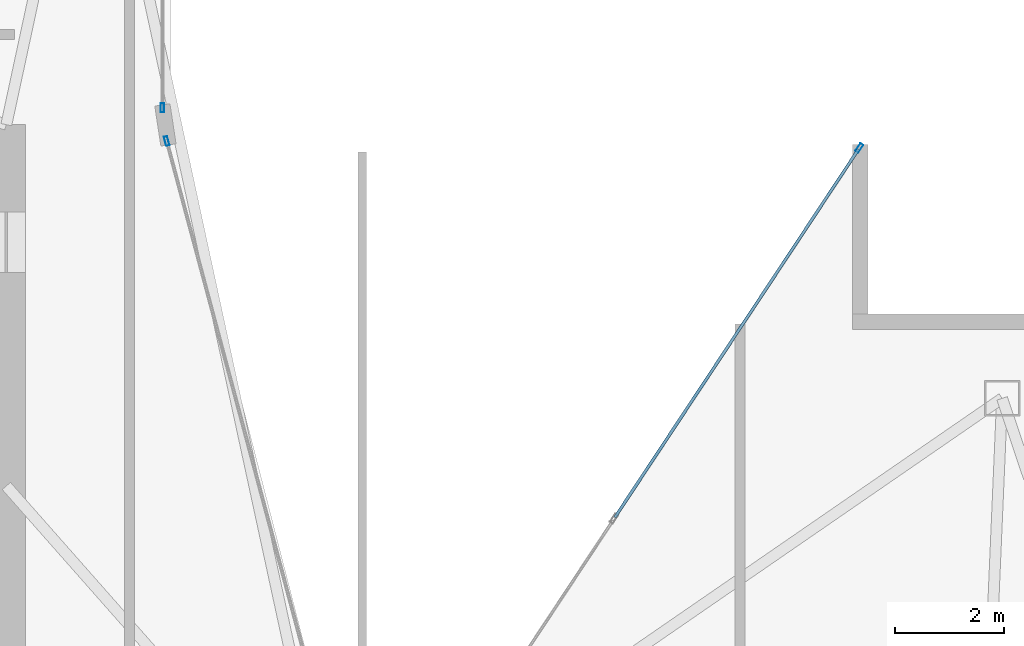
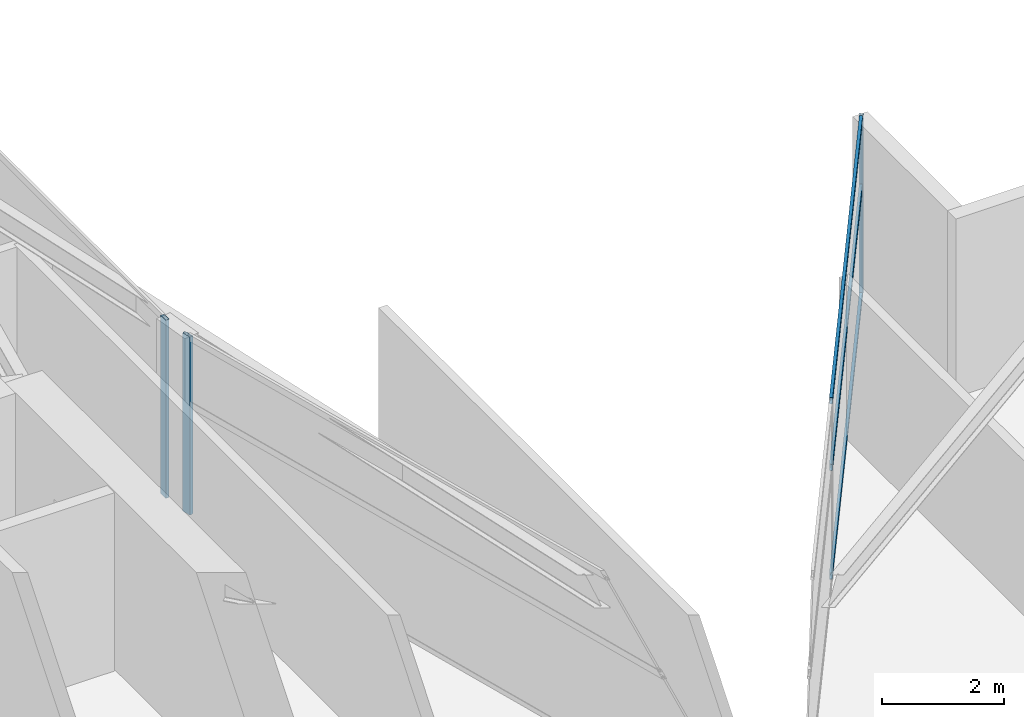
# One storey, part 19 of 28: 6 members, 3 elements without a shape of their own.
"""IFC4 building model written with IfcOpenShell, lengths in metres."""

import ifcopenshell
import ifcopenshell.guid

model = None  # the IFC model being written
_history = None  # IfcOwnerHistory: only IFC2X3 demands one
_inside = {}  # id of a spatial element -> (the spatial element, [elements in it])
_under = {}  # id of a project, library or spatial element -> (it, [spatial elements below it])
_declared = {}  # id of a project -> (the project, [libraries it declares])
_typed = {}  # id of a type object -> (the type object, [elements of that type])
_made_of = {}  # id of a material, layer set ... -> (it, [elements and type objects made of it])


def new_model(schema):
    """Start an empty IFC model of exactly this schema.

    Asked for "IFC4X3", IfcOpenShell would pick the latest addendum, in which some entities
    have other attributes; the version numbers below select the first issue.
    IFC2X3 requires an IfcOwnerHistory on every rooted entity: one is made here for all.
    """
    global model, _history
    if schema == "IFC4X3":
        model = ifcopenshell.file(schema_version=(4, 3, 0, 0))
    else:
        model = ifcopenshell.file(schema=schema)
    _inside.clear()
    _under.clear()
    _declared.clear()
    _typed.clear()
    _made_of.clear()
    _history = None
    if model.schema == "IFC2X3":
        org = make("IfcOrganization", Name="unknown")
        user = make(
            "IfcPersonAndOrganization",
            ThePerson=make("IfcPerson", FamilyName="unknown"),
            TheOrganization=org,
        )
        app = make(
            "IfcApplication",
            ApplicationDeveloper=org,
            Version="unknown",
            ApplicationFullName="unknown",
            ApplicationIdentifier="unknown",
        )
        _history = make(
            "IfcOwnerHistory",
            OwningUser=user,
            OwningApplication=app,
            ChangeAction="ADDED",
            CreationDate=0,
        )
    return model


def make(cls, **values):
    """One entity of the class cls with the attributes given. An attribute that is None is left unset."""
    return model.create_entity(
        cls, **{name: value for name, value in values.items() if value is not None}
    )


def rooted(cls, **values):
    """An entity with a GlobalId (a new one), such as an element, a storey or a relation."""
    return make(cls, GlobalId=ifcopenshell.guid.new(), OwnerHistory=_history, **values)


def si_unit(unit_type, name, prefix=None):
    """IfcSIUnit, for example si_unit("LENGTHUNIT", "METRE", prefix="MILLI")."""
    return make("IfcSIUnit", UnitType=unit_type, Prefix=prefix, Name=name)


def assignment(units):
    """IfcUnitAssignment: the units of a project."""
    return None if units is None else make("IfcUnitAssignment", Units=units)


def point(xyz):
    """IfcCartesianPoint."""
    return None if xyz is None else make("IfcCartesianPoint", Coordinates=xyz)


def direction(xyz):
    """IfcDirection."""
    return None if xyz is None else make("IfcDirection", DirectionRatios=xyz)


def frame(location, z_axis=None, x_axis=None):
    """IfcAxis2Placement3D, a coordinate frame: its origin and axes. An axis left out is left unset."""
    return make(
        "IfcAxis2Placement3D",
        Location=point(location),
        Axis=direction(z_axis),
        RefDirection=direction(x_axis),
    )


def frame_2d(location, x_axis=None):
    """IfcAxis2Placement2D, a coordinate frame in the plane: its origin and x axis."""
    return make(
        "IfcAxis2Placement2D", Location=point(location), RefDirection=direction(x_axis)
    )


def origin():
    """The frame at (0, 0, 0) with its axes left unset."""
    return frame((0.0, 0.0, 0.0))


def origin_2d():
    """The frame at (0, 0) in the plane with its x axis left unset."""
    return frame_2d((0.0, 0.0))


def place(relative_to, where):
    """IfcLocalPlacement: puts the frame where relative to a parent placement (None: the world)."""
    return make(
        "IfcLocalPlacement", PlacementRelTo=relative_to, RelativePlacement=where
    )


def context(
    kind, dimensions, precision=None, world=None, true_north=None, identifier=None
):
    """IfcGeometricRepresentationContext, for example the 3D "Model" context."""
    return make(
        "IfcGeometricRepresentationContext",
        ContextIdentifier=identifier,
        ContextType=kind,
        CoordinateSpaceDimension=dimensions,
        Precision=precision,
        WorldCoordinateSystem=world,
        TrueNorth=true_north,
    )


def subcontext(parent, identifier, kind, view, scale=None):
    """IfcGeometricRepresentationSubContext, for example "Body" below "Model"."""
    return make(
        "IfcGeometricRepresentationSubContext",
        ContextIdentifier=identifier,
        ContextType=kind,
        ParentContext=parent,
        TargetScale=scale,
        TargetView=view,
    )


def project(units=None, contexts=None):
    """IfcProject with its units and contexts."""
    return rooted(
        "IfcProject",
        Name="project",
        RepresentationContexts=contexts,
        UnitsInContext=assignment(units),
    )


def spatial(cls, under=None, at=None, **own):
    """A site, building, storey or space (cls), placed at a placement, below another one or the project."""
    s = rooted(cls, ObjectPlacement=at, **own)
    if under is not None:
        _under.setdefault(under.id(), (under, []))[1].append(s)
    return s


def profile(cls, at=None, kind="AREA", **sizes):
    """A parametric profile (cls). Its sizes go by their IFC names, for example OverallWidth=200.0."""
    return make(cls, ProfileType=kind, Position=at, **sizes)


def hollow_rectangle(**sizes):
    """IfcRectangleHollowProfileDef."""
    return profile("IfcRectangleHollowProfileDef", **sizes)


def extrude(swept, where, along, depth):
    """IfcExtrudedAreaSolid: the profile swept, set in the frame where, extruded along a direction by depth."""
    return make(
        "IfcExtrudedAreaSolid",
        SweptArea=swept,
        Position=where,
        ExtrudedDirection=direction(along),
        Depth=depth,
    )


def shape(context_of_items, identifier, shape_type, items):
    """IfcShapeRepresentation: the items that make up one representation, for example the "Body"."""
    return make(
        "IfcShapeRepresentation",
        ContextOfItems=context_of_items,
        RepresentationIdentifier=identifier,
        RepresentationType=shape_type,
        Items=items,
    )


def material(Name=None, Category=None):
    """IfcMaterial."""
    return make("IfcMaterial", Name=Name, Category=Category)


def layer(
    of_material, thickness, ventilated=None, Name=None, Category=None, Priority=None
):
    """IfcMaterialLayer: one layer of a wall or slab, of a material (None: an air gap)."""
    return make(
        "IfcMaterialLayer",
        Material=of_material,
        LayerThickness=thickness,
        IsVentilated=ventilated,
        Name=Name,
        Category=Category,
        Priority=Priority,
    )


def layer_set(layers, Name=None):
    """IfcMaterialLayerSet."""
    return make("IfcMaterialLayerSet", MaterialLayers=layers, LayerSetName=Name)


def material_profile(
    of_material, cross_section, Name=None, Category=None, Priority=None
):
    """IfcMaterialProfile: a cross section and its material."""
    return make(
        "IfcMaterialProfile",
        Name=Name,
        Material=of_material,
        Profile=cross_section,
        Priority=Priority,
        Category=Category,
    )


def profile_set(profiles, Name=None, composite=None):
    """IfcMaterialProfileSet."""
    return make(
        "IfcMaterialProfileSet",
        Name=Name,
        MaterialProfiles=profiles,
        CompositeProfile=composite,
    )


def made_of(thing, what):
    """Note that an element or type object is made of a material, layer set ...; save() writes the relation."""
    if what is not None:
        _made_of.setdefault(what.id(), (what, []))[1].append(thing)
    return thing


def type_object(cls, material=None, **own):
    """A type object (cls), such as IfcWallType, which elements share."""
    return made_of(rooted(cls, **own), material)


def element(
    cls,
    number,
    at=None,
    inside=None,
    cuts=None,
    type_object=None,
    material=None,
    context=None,
    identifier="Body",
    shape_type=None,
    held_by="IfcProductDefinitionShape",
    body=None,
    shapes=None,
    **own,
):
    """One element of the class cls, such as IfcWall. Its Tag is "e" and its number.

    at: its placement. inside: the storey or other place that contains it. cuts: it is an
    opening in that element (IfcRelVoidsElement). A single representation is given by context,
    identifier, shape_type and body (its items); several are given by shapes. held_by: the class
    of the entity that holds the representations. save() writes the other relations.
    """
    e = rooted(cls, Tag="e%d" % number, ObjectPlacement=at, **own)
    if body is not None:
        shapes = [shape(context, identifier, shape_type, body)]
    if shapes is not None:
        e.Representation = make(held_by, Representations=shapes)
    if inside is not None:
        _inside.setdefault(inside.id(), (inside, []))[1].append(e)
    if cuts is not None:
        rooted(
            "IfcRelVoidsElement", RelatingBuildingElement=cuts, RelatedOpeningElement=e
        )
    if type_object is not None:
        _typed.setdefault(type_object.id(), (type_object, []))[1].append(e)
    return made_of(e, material)


def aggregate(whole, parts):
    """IfcRelAggregates: a whole, such as a stair, and the parts it consists of."""
    return rooted("IfcRelAggregates", RelatingObject=whole, RelatedObjects=parts)


def save(model, path):
    """Write the relations noted so far, then the file.

    IfcRelAggregates (storeys below a building ...), IfcRelContainedInSpatialStructure (elements
    in a storey), IfcRelDefinesByType, IfcRelAssociatesMaterial and IfcRelDeclares: one each for
    every whole, place, type object, material and project.
    """
    for whole, parts in _under.values():
        aggregate(whole, parts)
    for where, things in _inside.values():
        rooted(
            "IfcRelContainedInSpatialStructure",
            RelatedElements=things,
            RelatingStructure=where,
        )
    for kind, things in _typed.values():
        rooted("IfcRelDefinesByType", RelatedObjects=things, RelatingType=kind)
    for what, things in _made_of.values():
        rooted("IfcRelAssociatesMaterial", RelatedObjects=things, RelatingMaterial=what)
    for by, libraries in _declared.values():
        rooted("IfcRelDeclares", RelatingContext=by, RelatedDefinitions=libraries)
    model.write(path)


model = new_model("IFC4")

# Units and contexts
model_context = context("Model", 3, precision=1e-05, world=origin(), true_north=direction((0.0, 1.0)))
body_context = subcontext(model_context, "Body", "Model", "MODEL_VIEW")
ifc_project = project(units=[si_unit("LENGTHUNIT", "METRE"), si_unit("AREAUNIT", "SQUARE_METRE"), si_unit("VOLUMEUNIT", "CUBIC_METRE"), si_unit("PLANEANGLEUNIT", "RADIAN"), si_unit("MASSUNIT", "GRAM", prefix="KILO")], contexts=[model_context])

# Site, building, storey
site_placement = place(None, origin())
site = spatial("IfcSite", under=ifc_project, at=site_placement, CompositionType="ELEMENT")
building_placement = place(site_placement, origin())
building = spatial("IfcBuilding", under=site, at=building_placement, Name="Calvorn Quay Hotel", CompositionType="ELEMENT")
storey_placement = place(building_placement, frame((0.0, 0.0, 263.5)))
storey = spatial("IfcBuildingStorey", under=building, at=storey_placement, Name="L65", CompositionType="ELEMENT", Elevation=263.5)

# Curtain wall, member
ifc_material_1 = material(Name="Champagne Bronze Anodised Aluminium and Low-E Glass", Category="aluminium")
ifc_layer = layer(ifc_material_1, 0.219970703125)
ifc_layer_set = layer_set([ifc_layer], Name="CW-SYS-Z4")
curtain_wall_type = type_object("IfcCurtainWallType", Name="CW-SYS-Z4", PredefinedType="NOTDEFINED", material=ifc_layer_set)
curtain_wall_1_placement = place(storey_placement, origin())
curtain_wall_1 = element("IfcCurtainWall", 1, at=curtain_wall_1_placement, inside=storey, type_object=curtain_wall_type, Name="Inner Court Curtain Wall L65-NE1", PredefinedType="NOTDEFINED")
ifc_material_2 = material(Name="Champagne Bronze Anodised Aluminium 6063-T6", Category="aluminium")
ifc_material_profile_1 = material_profile(ifc_material_2, hollow_rectangle(XDim=0.06494140625, YDim=0.169921875, WallThickness=0.00341796875, at=origin_2d()), Name="ALU-M170x65x3.5")
ifc_profile_set_1 = profile_set([ifc_material_profile_1], Name="Champagne Bronze Anodised Aluminium 6063-T6")
member_type_1 = type_object("IfcMemberType", Name="CW-SYS-Z4-MUL", PredefinedType="MULLION", material=ifc_profile_set_1)
member_1_placement = place(storey_placement, frame((30.58349609375, 37.97509765625, 0.0), z_axis=(0.0, 0.0, 1.0), x_axis=(0.833932205724, -0.551866900852, 0.0)))
member_1 = element("IfcMember", 2, at=member_1_placement, type_object=member_type_1, Name="CW-L65-NE1 mullion 1", PredefinedType="MULLION", context=body_context, shape_type="SweptSolid", body=[
    extrude(hollow_rectangle(XDim=0.06494140625, YDim=0.169921875, WallThickness=0.00341796875, at=origin_2d()), origin(), (0.0, 0.0, 1.0), 3.56005859375),
])

curtain_wall_2_placement = place(storey_placement, origin())
curtain_wall_2 = element("IfcCurtainWall", 3, at=curtain_wall_2_placement, inside=storey, type_object=curtain_wall_type, Name="Inner Court Curtain Wall L65-IC1", PredefinedType="NOTDEFINED")
member_2_placement = place(storey_placement, frame((17.9296875, 38.10107421875, 0.0), z_axis=(0.0, 0.0, 1.0), x_axis=(-0.96593652056, -0.25877913024, 0.0)))
member_2 = element("IfcMember", 4, at=member_2_placement, type_object=member_type_1, Name="CW-L65-IC1 mullion 2", PredefinedType="MULLION", context=body_context, shape_type="SweptSolid", body=[
    extrude(hollow_rectangle(XDim=0.06494140625, YDim=0.169921875, WallThickness=0.00341796875, at=origin_2d()), origin(), (0.0, 0.0, 1.0), 3.56005859375),
])
aggregate(curtain_wall_2, [member_2])

curtain_wall_3_placement = place(storey_placement, origin())
curtain_wall_3 = element("IfcCurtainWall", 5, at=curtain_wall_3_placement, inside=storey, type_object=curtain_wall_type, Name="Inner Court Curtain Wall L65-IC2", PredefinedType="NOTDEFINED")
member_3_placement = place(storey_placement, frame((17.85009765625, 38.7099609375, 0.0), z_axis=(0.0, 0.0, 1.0), x_axis=(-1.0, 0.0, 0.0)))
member_3 = element("IfcMember", 6, at=member_3_placement, type_object=member_type_1, Name="CW-L65-IC2 mullion 1", PredefinedType="MULLION", context=body_context, shape_type="SweptSolid", body=[
    extrude(hollow_rectangle(XDim=0.06494140625, YDim=0.169921875, WallThickness=0.00341796875, at=origin_2d()), origin(), (0.0, 0.0, 1.0), 3.56005859375),
])
aggregate(curtain_wall_3, [member_3])

# Member
ifc_material_3 = material(Name="Champagne Bronze Anodised Aluminium 6063-T6", Category="aluminium")
ifc_material_profile_2 = material_profile(ifc_material_3, hollow_rectangle(XDim=0.054931640625, YDim=0.1298828125, WallThickness=0.003173828125, at=origin_2d()), Name="ALU-T130x55x3.2")
ifc_profile_set_2 = profile_set([ifc_material_profile_2], Name="Champagne Bronze Anodised Aluminium 6063-T6")
member_type_2 = type_object("IfcMemberType", Name="CW-SYS-Z4-TRN", PredefinedType="USERDEFINED", material=ifc_profile_set_2)
member_4_placement = place(storey_placement, frame((30.56689453125, 37.949951171875, 0.030029296875), z_axis=(-0.551881453123, -0.833922575362, 0.0), x_axis=(0.833922575362, -0.551881453123, 0.0)))
member_4 = element("IfcMember", 7, at=member_4_placement, type_object=member_type_2, Name="CW-L65-NE1 transom 1.1", ObjectType="TRANSOM", PredefinedType="USERDEFINED", context=body_context, shape_type="SweptSolid", body=[
    extrude(hollow_rectangle(XDim=0.054931640625, YDim=0.1298828125, WallThickness=0.003173828125, at=origin_2d()), origin(), (0.0, 0.0, 1.0), 8.064208984375),
])

member_5_placement = place(storey_placement, frame((30.56689453125, 37.949951171875, 2.199951171875), z_axis=(-0.551881453123, -0.833922575362, 0.0), x_axis=(0.833922575362, -0.551881453123, 0.0)))
member_5 = element("IfcMember", 8, at=member_5_placement, type_object=member_type_2, Name="CW-L65-NE1 transom 1.2", ObjectType="TRANSOM", PredefinedType="USERDEFINED", context=body_context, shape_type="SweptSolid", body=[
    extrude(hollow_rectangle(XDim=0.054931640625, YDim=0.1298828125, WallThickness=0.003173828125, at=origin_2d()), origin(), (0.0, 0.0, 1.0), 8.064208984375),
])

member_6_placement = place(storey_placement, frame((30.56689453125, 37.949951171875, 3.530029296875), z_axis=(-0.551881453123, -0.833922575362, 0.0), x_axis=(0.833922575362, -0.551881453123, 0.0)))
member_6 = element("IfcMember", 9, at=member_6_placement, type_object=member_type_2, Name="CW-L65-NE1 transom 1.3", ObjectType="TRANSOM", PredefinedType="USERDEFINED", context=body_context, shape_type="SweptSolid", body=[
    extrude(hollow_rectangle(XDim=0.054931640625, YDim=0.1298828125, WallThickness=0.003173828125, at=origin_2d()), origin(), (0.0, 0.0, 1.0), 8.064208984375),
])

aggregate(curtain_wall_1, [member_1, member_4, member_5, member_6])

save(model, "model.ifc")
